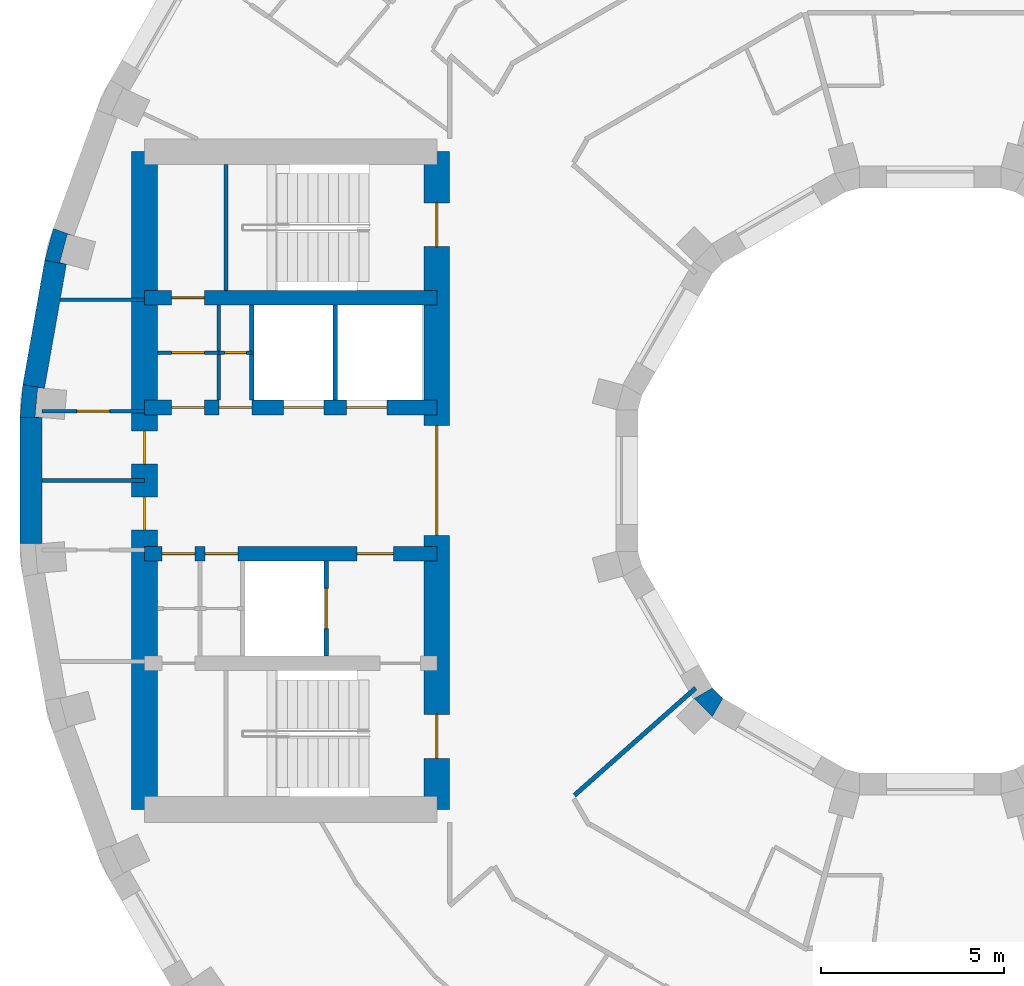
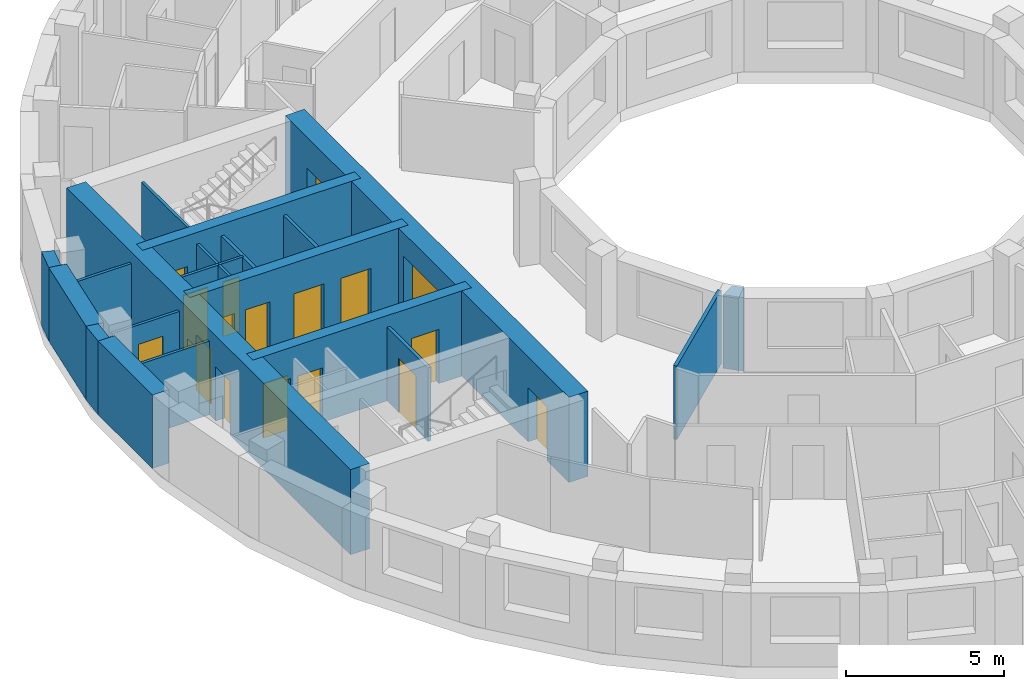
# One storey, part 6 of 15: 21 walls, 17 doors, 17 openings.
"""IFC4 building model written with IfcOpenShell, lengths in metres."""

from ifc_helpers import new_model, si_unit, direction, frame, frame_2d, origin, place, context, subcontext, project, spatial, polyline, rectangle, outline, extrude, material, layer, layer_set, type_object, element, fill, save


model = new_model("IFC4")

# Units and contexts
model_context = context("Model", 3, precision=1e-05, world=origin(), true_north=direction((0.0, 1.0)))
body_context = subcontext(model_context, "Body", "Model", "MODEL_VIEW")
ifc_project = project(units=[si_unit("LENGTHUNIT", "METRE"), si_unit("AREAUNIT", "SQUARE_METRE"), si_unit("VOLUMEUNIT", "CUBIC_METRE"), si_unit("PLANEANGLEUNIT", "RADIAN"), si_unit("MASSUNIT", "GRAM", prefix="KILO")], contexts=[model_context])

# Site, building, storey
site_placement = place(None, origin())
site = spatial("IfcSite", under=ifc_project, at=site_placement, CompositionType="ELEMENT")
building_placement = place(site_placement, origin())
building = spatial("IfcBuilding", under=site, at=building_placement, Name="Saqina Gate Tower", CompositionType="ELEMENT")
storey_placement = place(building_placement, frame((0.0, 0.0, 193.800048828125)))
storey = spatial("IfcBuildingStorey", under=building, at=storey_placement, Name="L55", CompositionType="ELEMENT", Elevation=193.800048828125)

# Walls
ifc_material_1 = material(Name="Brick masonry (buff)", Category="masonry")
wall_type_1 = type_object("IfcWallType", Name="BRICK PIER COPING BUFF", PredefinedType="SOLIDWALL", material=ifc_material_1)
wall_1_placement = place(storey_placement, origin())
element("IfcWall", 1, at=wall_1_placement, inside=storey, type_object=wall_type_1, Name="Pier cap L55 column 17", PredefinedType="SOLIDWALL", context=body_context, shape_type="SweptSolid", body=[
    extrude(outline(polyline([(-24.22705078125, 6.0234375), (-23.635986328125, 5.919189453125), (-23.81689453125, 5.967529296875), (-23.610107421875, 6.740478515625), (-23.428955078125, 6.69189453125), (-23.992919921875, 6.897216796875), (-24.22705078125, 6.0234375)])), origin(), (0.0, 0.0, 1.0), 2.849853515625),
])
wall_2_placement = place(storey_placement, origin())
element("IfcWall", 2, at=wall_2_placement, inside=storey, type_object=wall_type_1, Name="Pier cap L55 column 18", PredefinedType="SOLIDWALL", context=body_context, shape_type="SweptSolid", body=[
    extrude(outline(polyline([(-24.825927734375, 2.6259765625), (-24.90478515625, 1.724853515625), (-24.304931640625, 1.724853515625), (-24.491455078125, 1.7412109375), (-24.421630859375, 2.5380859375), (-24.235107421875, 2.521728515625), (-24.825927734375, 2.6259765625)])), origin(), (0.0, 0.0, 1.0), 2.849853515625),
])
ifc_material_2 = material(Name="Gypsum board on steel studs", Category="steel")
ifc_layer_1 = layer(ifc_material_2, 0.10009765625)
ifc_layer_set_1 = layer_set([ifc_layer_1], Name="CORE PARTITION")
wall_type_2 = type_object("IfcWallType", Name="CORE PARTITION", PredefinedType="PARTITIONING", material=ifc_layer_set_1)
wall_3_placement = place(storey_placement, frame((-21.5, 4.949951171875, 0.0), z_axis=(0.0, 0.0, 1.0), x_axis=(-1.0, 0.0, 0.0)))
element("IfcWall", 3, at=wall_3_placement, inside=storey, type_object=wall_type_2, Name="L55-CP-W01", PredefinedType="PARTITIONING", context=body_context, shape_type="SweptSolid", body=[
    extrude(rectangle(XDim=2.306884765625, YDim=0.10009765625, at=frame_2d((1.1533203125, 0.0))), origin(), (0.0, 0.0, 1.0), 2.849853515625),
])

# Wall, opening, door
wall_4_placement = place(storey_placement, frame((-21.5, 1.89990234375, 0.0), z_axis=(0.0, 0.0, 1.0), x_axis=(-1.0, 0.0, 0.0)))
wall_4 = element("IfcWall", 4, at=wall_4_placement, inside=storey, type_object=wall_type_2, Name="L55-CP-W02", PredefinedType="PARTITIONING", context=body_context, shape_type="SweptSolid", body=[
    extrude(rectangle(XDim=2.804931640625, YDim=0.10009765625, at=frame_2d((1.40234375, 0.0))), origin(), (0.0, 0.0, 1.0), 2.849853515625),
])
opening_1_placement = place(wall_4_placement, frame((0.952392578125, 0.0, 0.0)))
opening_1 = element("IfcOpeningElement", 5, at=opening_1_placement, cuts=wall_4, Name="Opening G16-D114", PredefinedType="OPENING", context=body_context, shape_type="SweptSolid", body=[
    extrude(rectangle(XDim=0.89990234375, YDim=2.10009765625, at=frame_2d((0.449951171875, 1.050048828125))), frame((0.0, 0.06201171875, 0.0), z_axis=(0.0, -1.0, 0.0), x_axis=(1.0, 0.0, 0.0)), (0.0, 0.0, 1.0), 0.1240234375),
])
ifc_material_3 = material(Name="Steel-framed fire door leaf, EI 60", Category="steel")
door_type_1 = type_object("IfcDoorType", Name="SERVICE ROOM DOOR 900", OperationType="SINGLE_SWING_LEFT", PredefinedType="DOOR", material=ifc_material_3)
door_1_placement = place(opening_1_placement, frame((0.89990234375, 0.0, 0.0), z_axis=(0.0, 0.0, 1.0), x_axis=(-1.0, 0.0, 0.0)))
door_1 = element("IfcDoor", 6, at=door_1_placement, inside=storey, type_object=door_type_1, Name="L55-CD-W25", OperationType="SINGLE_SWING_RIGHT", OverallHeight=2.10009765625, OverallWidth=0.89990234375, PredefinedType="DOOR", context=body_context, shape_type="SweptSolid", body=[
    extrude(rectangle(XDim=0.89990234375, YDim=2.10009765625, at=frame_2d((0.449951171875, 1.050048828125))), frame((0.0, 0.02490234375, 0.0), z_axis=(0.0, -1.0, 0.0), x_axis=(1.0, 0.0, 0.0)), (0.0, 0.0, 1.0), 0.050048828125),
])
fill(opening_1, door_1)

# Walls
wall_5_placement = place(storey_placement, frame((-21.5, 0.0, 0.0), z_axis=(0.0, 0.0, 1.0), x_axis=(-1.0, 0.0, 0.0)))
element("IfcWall", 7, at=wall_5_placement, inside=storey, type_object=wall_type_2, Name="L55-CP-W05", PredefinedType="PARTITIONING", context=body_context, shape_type="SweptSolid", body=[
    extrude(rectangle(XDim=2.804931640625, YDim=0.10009765625, at=frame_2d((1.40234375, 0.0))), origin(), (0.0, 0.0, 1.0), 2.849853515625),
])
wall_6_placement = place(storey_placement, frame((-19.466552734375, 2.199951171875, 0.0), z_axis=(0.0, 0.0, 1.0), x_axis=(0.0, 1.0, 0.0)))
element("IfcWall", 8, at=wall_6_placement, inside=storey, type_object=wall_type_2, Name="L55-CP-W08", PredefinedType="PARTITIONING", context=body_context, shape_type="SweptSolid", body=[
    extrude(rectangle(XDim=2.60009765625, YDim=0.10009765625, at=frame_2d((1.300048828125, 0.0))), origin(), (0.0, 0.0, 1.0), 2.849853515625),
])

# Wall, opening, door
wall_7_placement = place(storey_placement, frame((-18.56005859375, 3.5, 0.0), z_axis=(0.0, 0.0, 1.0), x_axis=(-1.0, 0.0, 0.0)))
wall_7 = element("IfcWall", 9, at=wall_7_placement, inside=storey, type_object=wall_type_2, Name="L55-CP-W12", PredefinedType="PARTITIONING", context=body_context, shape_type="SweptSolid", body=[
    extrude(rectangle(XDim=0.906494140625, YDim=0.10009765625, at=frame_2d((0.453125, 0.0))), origin(), (0.0, 0.0, 1.0), 2.849853515625),
])
opening_2_placement = place(wall_7_placement, frame((0.149658203125, 0.0, 0.0)))
opening_2 = element("IfcOpeningElement", 10, at=opening_2_placement, cuts=wall_7, Name="Opening G16-D118", PredefinedType="OPENING", context=body_context, shape_type="SweptSolid", body=[
    extrude(rectangle(XDim=0.60009765625, YDim=2.10009765625, at=frame_2d((0.300048828125, 1.050048828125))), frame((0.0, 0.06201171875, 0.0), z_axis=(0.0, -1.0, 0.0), x_axis=(1.0, 0.0, 0.0)), (0.0, 0.0, 1.0), 0.1240234375),
])
ifc_material_4 = material(Name="Steel-framed fire door leaf, EI 60", Category="steel")
door_type_2 = type_object("IfcDoorType", Name="SERVICE ROOM DOOR 600", OperationType="SINGLE_SWING_LEFT", PredefinedType="DOOR", material=ifc_material_4)
door_2_placement = place(opening_2_placement, origin())
door_2 = element("IfcDoor", 11, at=door_2_placement, inside=storey, type_object=door_type_2, Name="L55-CD-W29", OperationType="SINGLE_SWING_LEFT", OverallHeight=2.10009765625, OverallWidth=0.60009765625, PredefinedType="DOOR", context=body_context, shape_type="SweptSolid", body=[
    extrude(rectangle(XDim=0.60009765625, YDim=2.10009765625, at=frame_2d((0.300048828125, 1.050048828125))), frame((0.0, 0.02490234375, 0.0), z_axis=(0.0, -1.0, 0.0), x_axis=(1.0, 0.0, 0.0)), (0.0, 0.0, 1.0), 0.050048828125),
])
fill(opening_2, door_2)

wall_8_placement = place(storey_placement, frame((-19.466552734375, 3.5, 0.0), z_axis=(0.0, 0.0, 1.0), x_axis=(-1.0, 0.0, 0.0)))
wall_8 = element("IfcWall", 12, at=wall_8_placement, inside=storey, type_object=wall_type_2, Name="L55-CP-W13", PredefinedType="PARTITIONING", context=body_context, shape_type="SweptSolid", body=[
    extrude(rectangle(XDim=1.683349609375, YDim=0.10009765625, at=frame_2d((0.841796875, 0.0))), origin(), (0.0, 0.0, 1.0), 2.849853515625),
])
opening_3_placement = place(wall_8_placement, frame((0.391845703125, 0.0, 0.0)))
opening_3 = element("IfcOpeningElement", 13, at=opening_3_placement, cuts=wall_8, Name="Opening G16-D119", PredefinedType="OPENING", context=body_context, shape_type="SweptSolid", body=[
    extrude(rectangle(XDim=0.89990234375, YDim=2.10009765625, at=frame_2d((0.449951171875, 1.050048828125))), frame((0.0, 0.06201171875, 0.0), z_axis=(0.0, -1.0, 0.0), x_axis=(1.0, 0.0, 0.0)), (0.0, 0.0, 1.0), 0.1240234375),
])
door_3_placement = place(opening_3_placement, frame((0.89990234375, 0.0, 0.0), z_axis=(0.0, 0.0, 1.0), x_axis=(-1.0, 0.0, 0.0)))
door_3 = element("IfcDoor", 14, at=door_3_placement, inside=storey, type_object=door_type_1, Name="L55-CD-W30", OperationType="SINGLE_SWING_LEFT", OverallHeight=2.10009765625, OverallWidth=0.89990234375, PredefinedType="DOOR", context=body_context, shape_type="SweptSolid", body=[
    extrude(rectangle(XDim=0.89990234375, YDim=2.10009765625, at=frame_2d((0.449951171875, 1.050048828125))), frame((0.0, 0.02490234375, 0.0), z_axis=(0.0, -1.0, 0.0), x_axis=(1.0, 0.0, 0.0)), (0.0, 0.0, 1.0), 0.050048828125),
])
fill(opening_3, door_3)

# Walls
ifc_material_5 = material(Name="Glazed ceramic tile", Category="ceramic")
ifc_layer_2 = layer(ifc_material_5, 0.60009765625)
ifc_layer_set_2 = layer_set([ifc_layer_2], Name="FW-TILE")
wall_type_3 = type_object("IfcWallType", Name="FW-TILE", PredefinedType="SOLIDWALL", material=ifc_layer_set_2)
wall_9_placement = place(storey_placement, frame((-24.60498046875, 1.724853515625, 0.0), z_axis=(0.0, 0.0, 1.0), x_axis=(0.0, -1.0, 0.0)))
element("IfcWall", 15, at=wall_9_placement, inside=storey, type_object=wall_type_3, Name="Facade wall L55 facet 18", PredefinedType="SOLIDWALL", context=body_context, shape_type="SweptSolid", body=[
    extrude(rectangle(XDim=3.44970703125, YDim=0.60009765625, at=frame_2d((1.724853515625, 0.0))), origin(), (0.0, 0.0, 1.0), 2.849853515625),
])
ifc_material_6 = material(Name="Glazed ceramic tile (white)", Category="ceramic")
ifc_layer_3 = layer(ifc_material_6, 0.60009765625)
ifc_layer_set_3 = layer_set([ifc_layer_3], Name="FW-TILE-WH")
wall_type_4 = type_object("IfcWallType", Name="FW-TILE-WH", PredefinedType="SOLIDWALL", material=ifc_layer_set_3)
wall_10_placement = place(storey_placement, frame((-23.931640625, 5.97119140625, 0.0), z_axis=(0.0, 0.0, 1.0), x_axis=(-0.173607684551, -0.984814892183, 0.0)))
element("IfcWall", 16, at=wall_10_placement, inside=storey, type_object=wall_type_4, Name="Facade wall L55 facet 17", PredefinedType="SOLIDWALL", context=body_context, shape_type="SweptSolid", body=[
    extrude(rectangle(XDim=3.44970703125, YDim=0.60009765625, at=frame_2d((1.724853515625, 0.0))), origin(), (0.0, 0.0, 1.0), 2.849853515625),
])
ifc_material_7 = material(Name="Gypsum board on steel studs, 125 mm, fire rated", Category="steel")
ifc_layer_4 = layer(ifc_material_7, 0.125)
ifc_layer_set_4 = layer_set([ifc_layer_4], Name="PARTITION EI 30 125")
wall_type_5 = type_object("IfcWallType", Name="PARTITION EI 30 125", PredefinedType="PARTITIONING", material=ifc_layer_set_4)
wall_11_placement = place(storey_placement, frame((-9.7373046875, -8.612548828125, 0.0), z_axis=(0.0, 0.0, 1.0), x_axis=(0.748961830347, 0.662613142552, 0.0)))
element("IfcWall", 17, at=wall_11_placement, inside=storey, type_object=wall_type_5, Name="PARTITION PW1-40", PredefinedType="PARTITIONING", context=body_context, shape_type="SweptSolid", body=[
    extrude(rectangle(XDim=4.427734375, YDim=0.125, at=frame_2d((2.2138671875, 0.0))), origin(), (0.0, 0.0, 1.0), 2.849853515625),
])
ifc_material_8 = material(Name="Autoclaved aerated concrete block", Category="concrete")
ifc_layer_5 = layer(ifc_material_8, 0.1201171875)
ifc_layer_set_5 = layer_set([ifc_layer_5], Name="SHAFT PARTITION")
wall_type_6 = type_object("IfcWallType", Name="SHAFT PARTITION", PredefinedType="PARTITIONING", material=ifc_layer_set_5)
for number, where, z_axis, x_axis, name in (
    (18, (-16.280029296875, 2.199951171875, 0.0), (0.0, 0.0, 1.0), (0.0, 1.0, 0.0), "L55-CP-W06"),
    (19, (-18.56005859375, 2.199951171875, 0.0), (0.0, 0.0, 1.0), (0.0, 1.0, 0.0), "L55-CP-W07"),
):
    element("IfcWall", number, at=place(storey_placement, frame(where, z_axis=z_axis, x_axis=x_axis)), inside=storey, type_object=wall_type_6, Name=name, PredefinedType="PARTITIONING", context=body_context, shape_type="SweptSolid", body=[
        extrude(rectangle(XDim=2.60009765625, YDim=0.1201171875, at=frame_2d((1.300048828125, 0.0))), origin(), (0.0, 0.0, 1.0), 2.849853515625),
    ])

# Wall, opening, door
wall_12_placement = place(storey_placement, frame((-16.530029296875, -4.800048828125, 0.0), z_axis=(0.0, 0.0, 1.0), x_axis=(0.0, 1.0, 0.0)))
wall_12 = element("IfcWall", 20, at=wall_12_placement, inside=storey, type_object=wall_type_6, Name="L55-CP-W09", PredefinedType="PARTITIONING", context=body_context, shape_type="SweptSolid", body=[
    extrude(rectangle(XDim=2.60009765625, YDim=0.1201171875, at=frame_2d((1.300048828125, 0.0))), origin(), (0.0, 0.0, 1.0), 2.849853515625),
])
opening_4_placement = place(wall_12_placement, frame((0.75, 0.0, 0.0)))
opening_4 = element("IfcOpeningElement", 21, at=opening_4_placement, cuts=wall_12, Name="Opening G16-LD6", PredefinedType="OPENING", context=body_context, shape_type="SweptSolid", body=[
    extrude(rectangle(XDim=1.10009765625, YDim=2.10009765625, at=frame_2d((0.550048828125, 1.050048828125))), frame((0.0, 0.072021484375, 0.0), z_axis=(0.0, -1.0, 0.0), x_axis=(1.0, 0.0, 0.0)), (0.0, 0.0, 1.0), 0.14404296875),
])
ifc_material_9 = material(Name="Stainless steel", Category="steel")
door_type_3 = type_object("IfcDoorType", Name="LANDING DOOR", OperationType="DOUBLE_DOOR_SLIDING", PredefinedType="DOOR", material=ifc_material_9)
door_4_placement = place(opening_4_placement, origin())
door_4 = element("IfcDoor", 22, at=door_4_placement, inside=storey, type_object=door_type_3, Name="LANDING DOOR FF2", OperationType="DOUBLE_DOOR_SLIDING", OverallHeight=2.10009765625, OverallWidth=1.10009765625, PredefinedType="DOOR", context=body_context, shape_type="SweptSolid", body=[
    extrude(rectangle(XDim=1.10009765625, YDim=2.10009765625, at=frame_2d((0.550048828125, 1.050048828125))), frame((0.0, 0.02490234375, 0.0), z_axis=(0.0, -1.0, 0.0), x_axis=(1.0, 0.0, 0.0)), (0.0, 0.0, 1.0), 0.050048828125),
])
fill(opening_4, door_4)

# Wall
ifc_material_10 = material(Name="Autoclaved aerated concrete block", Category="concrete")
ifc_layer_6 = layer(ifc_material_10, 0.10009765625)
ifc_layer_set_6 = layer_set([ifc_layer_6], Name="STAIR ENCLOSURE WALL")
wall_type_7 = type_object("IfcWallType", Name="STAIR ENCLOSURE WALL", PredefinedType="PARTITIONING", material=ifc_layer_set_6)
wall_13_placement = place(storey_placement, frame((-19.27001953125, 5.199951171875, 0.0), z_axis=(0.0, 0.0, 1.0), x_axis=(0.0, 1.0, 0.0)))
element("IfcWall", 23, at=wall_13_placement, inside=storey, type_object=wall_type_7, Name="L55-CP-W16", PredefinedType="PARTITIONING", context=body_context, shape_type="SweptSolid", body=[
    extrude(rectangle(XDim=3.449951171875, YDim=0.10009765625, at=frame_2d((1.72509765625, 0.0))), origin(), (0.0, 0.0, 1.0), 2.849853515625),
])

# Wall, opening, door
ifc_material_11 = material(Name="Concrete C60/75", Category="concrete")
ifc_layer_7 = layer(ifc_material_11, 0.39990234375)
ifc_layer_set_7 = layer_set([ifc_layer_7], Name="Concrete C60/75")
wall_type_8 = type_object("IfcWallType", Name="STR-CORE WALL-C-I", PredefinedType="SHEAR", material=ifc_layer_set_7)
wall_14_placement = place(storey_placement, frame((-13.5, 5.0, 0.0), z_axis=(0.0, 0.0, 1.0), x_axis=(-1.0, 0.0, 0.0)))
wall_14 = element("IfcWall", 24, at=wall_14_placement, inside=storey, type_object=wall_type_8, Name="CORE WALL L55 W-X1", PredefinedType="SHEAR", context=body_context, shape_type="SweptSolid", body=[
    extrude(rectangle(XDim=8.0, YDim=0.39990234375, at=frame_2d((4.0, 0.0))), origin(), (0.0, 0.0, 1.0), 3.300048828125),
])
opening_5_placement = place(wall_14_placement, frame((6.358154296875, 0.0, 0.0)))
opening_5 = element("IfcOpeningElement", 25, at=opening_5_placement, cuts=wall_14, Name="Opening G16-D120", PredefinedType="OPENING", context=body_context, shape_type="SweptSolid", body=[
    extrude(rectangle(XDim=0.89990234375, YDim=2.10009765625, at=frame_2d((0.449951171875, 1.050048828125))), frame((0.0, 0.2119140625, 0.0), z_axis=(0.0, -1.0, 0.0), x_axis=(1.0, 0.0, 0.0)), (0.0, 0.0, 1.0), 0.423828125),
])
door_5_placement = place(opening_5_placement, frame((0.89990234375, 0.0, 0.0), z_axis=(0.0, 0.0, 1.0), x_axis=(-1.0, 0.0, 0.0)))
door_5 = element("IfcDoor", 26, at=door_5_placement, inside=storey, type_object=door_type_1, Name="L55-CD-W31", OperationType="SINGLE_SWING_LEFT", OverallHeight=2.10009765625, OverallWidth=0.89990234375, PredefinedType="DOOR", context=body_context, shape_type="SweptSolid", body=[
    extrude(rectangle(XDim=0.89990234375, YDim=2.10009765625, at=frame_2d((0.449951171875, 1.050048828125))), frame((0.0, 0.02490234375, 0.0), z_axis=(0.0, -1.0, 0.0), x_axis=(1.0, 0.0, 0.0)), (0.0, 0.0, 1.0), 0.050048828125),
])
fill(opening_5, door_5)

# Wall, openings, doors
wall_15_placement = place(storey_placement, frame((-13.5, 2.0, 0.0), z_axis=(0.0, 0.0, 1.0), x_axis=(-1.0, 0.0, 0.0)))
wall_15 = element("IfcWall", 27, at=wall_15_placement, inside=storey, type_object=wall_type_8, Name="CORE WALL L55 W-L1", PredefinedType="SHEAR", context=body_context, shape_type="SweptSolid", body=[
    extrude(rectangle(XDim=8.0, YDim=0.39990234375, at=frame_2d((4.0, 0.0))), origin(), (0.0, 0.0, 1.0), 3.300048828125),
])
opening_6_placement = place(wall_15_placement, frame((1.3701171875, 0.0, 0.0)))
opening_6 = element("IfcOpeningElement", 28, at=opening_6_placement, cuts=wall_15, Name="Opening G16-LD4", PredefinedType="OPENING", context=body_context, shape_type="SweptSolid", body=[
    extrude(rectangle(XDim=1.10009765625, YDim=2.10009765625, at=frame_2d((0.550048828125, 1.050048828125))), frame((0.0, 0.2119140625, 0.0), z_axis=(0.0, -1.0, 0.0), x_axis=(1.0, 0.0, 0.0)), (0.0, 0.0, 1.0), 0.423828125),
])
opening_7_placement = place(wall_15_placement, frame((3.090087890625, 0.0, 0.0)))
opening_7 = element("IfcOpeningElement", 29, at=opening_7_placement, cuts=wall_15, Name="Opening G16-LD5", PredefinedType="OPENING", context=body_context, shape_type="SweptSolid", body=[
    extrude(rectangle(XDim=1.10009765625, YDim=2.10009765625, at=frame_2d((0.550048828125, 1.050048828125))), frame((0.0, 0.2119140625, 0.0), z_axis=(0.0, -1.0, 0.0), x_axis=(1.0, 0.0, 0.0)), (0.0, 0.0, 1.0), 0.423828125),
])
opening_8_placement = place(wall_15_placement, frame((5.063232421875, 0.0, 0.0)))
opening_8 = element("IfcOpeningElement", 30, at=opening_8_placement, cuts=wall_15, Name="Opening G16-D109", PredefinedType="OPENING", context=body_context, shape_type="SweptSolid", body=[
    extrude(rectangle(XDim=0.89990234375, YDim=2.10009765625, at=frame_2d((0.449951171875, 1.050048828125))), frame((0.0, 0.2119140625, 0.0), z_axis=(0.0, -1.0, 0.0), x_axis=(1.0, 0.0, 0.0)), (0.0, 0.0, 1.0), 0.423828125),
])
opening_9_placement = place(wall_15_placement, frame((6.358154296875, 0.0, 0.0)))
opening_9 = element("IfcOpeningElement", 31, at=opening_9_placement, cuts=wall_15, Name="Opening G16-D110", PredefinedType="OPENING", context=body_context, shape_type="SweptSolid", body=[
    extrude(rectangle(XDim=0.89990234375, YDim=2.10009765625, at=frame_2d((0.449951171875, 1.050048828125))), frame((0.0, 0.2119140625, 0.0), z_axis=(0.0, -1.0, 0.0), x_axis=(1.0, 0.0, 0.0)), (0.0, 0.0, 1.0), 0.423828125),
])
door_6_placement = place(opening_6_placement, origin())
door_6 = element("IfcDoor", 32, at=door_6_placement, inside=storey, type_object=door_type_3, Name="LANDING DOOR HR3", OperationType="DOUBLE_DOOR_SLIDING", OverallHeight=2.10009765625, OverallWidth=1.10009765625, PredefinedType="DOOR", context=body_context, shape_type="SweptSolid", body=[
    extrude(rectangle(XDim=1.10009765625, YDim=2.10009765625, at=frame_2d((0.550048828125, 1.050048828125))), frame((0.0, 0.02490234375, 0.0), z_axis=(0.0, -1.0, 0.0), x_axis=(1.0, 0.0, 0.0)), (0.0, 0.0, 1.0), 0.050048828125),
])
fill(opening_6, door_6)
door_7_placement = place(opening_7_placement, origin())
door_7 = element("IfcDoor", 33, at=door_7_placement, inside=storey, type_object=door_type_3, Name="LANDING DOOR HR4", OperationType="DOUBLE_DOOR_SLIDING", OverallHeight=2.10009765625, OverallWidth=1.10009765625, PredefinedType="DOOR", context=body_context, shape_type="SweptSolid", body=[
    extrude(rectangle(XDim=1.10009765625, YDim=2.10009765625, at=frame_2d((0.550048828125, 1.050048828125))), frame((0.0, 0.02490234375, 0.0), z_axis=(0.0, -1.0, 0.0), x_axis=(1.0, 0.0, 0.0)), (0.0, 0.0, 1.0), 0.050048828125),
])
fill(opening_7, door_7)
door_8_placement = place(opening_8_placement, frame((0.89990234375, 0.0, 0.0), z_axis=(0.0, 0.0, 1.0), x_axis=(-1.0, 0.0, 0.0)))
door_8 = element("IfcDoor", 34, at=door_8_placement, inside=storey, type_object=door_type_1, Name="L55-CD-W20", OperationType="SINGLE_SWING_RIGHT", OverallHeight=2.10009765625, OverallWidth=0.89990234375, PredefinedType="DOOR", context=body_context, shape_type="SweptSolid", body=[
    extrude(rectangle(XDim=0.89990234375, YDim=2.10009765625, at=frame_2d((0.449951171875, 1.050048828125))), frame((0.0, 0.02490234375, 0.0), z_axis=(0.0, -1.0, 0.0), x_axis=(1.0, 0.0, 0.0)), (0.0, 0.0, 1.0), 0.050048828125),
])
fill(opening_8, door_8)
door_9_placement = place(opening_9_placement, frame((0.89990234375, 0.0, 0.0), z_axis=(0.0, 0.0, 1.0), x_axis=(-1.0, 0.0, 0.0)))
door_9 = element("IfcDoor", 35, at=door_9_placement, inside=storey, type_object=door_type_1, Name="L55-CD-W21", OperationType="SINGLE_SWING_LEFT", OverallHeight=2.10009765625, OverallWidth=0.89990234375, PredefinedType="DOOR", context=body_context, shape_type="SweptSolid", body=[
    extrude(rectangle(XDim=0.89990234375, YDim=2.10009765625, at=frame_2d((0.449951171875, 1.050048828125))), frame((0.0, 0.02490234375, 0.0), z_axis=(0.0, -1.0, 0.0), x_axis=(1.0, 0.0, 0.0)), (0.0, 0.0, 1.0), 0.050048828125),
])
fill(opening_9, door_9)

wall_16_placement = place(storey_placement, frame((-13.5, -2.0, 0.0), z_axis=(0.0, 0.0, 1.0), x_axis=(-1.0, 0.0, 0.0)))
wall_16 = element("IfcWall", 36, at=wall_16_placement, inside=storey, type_object=wall_type_8, Name="CORE WALL L55 W-L2", PredefinedType="SHEAR", context=body_context, shape_type="SweptSolid", body=[
    extrude(rectangle(XDim=8.0, YDim=0.39990234375, at=frame_2d((4.0, 0.0))), origin(), (0.0, 0.0, 1.0), 3.300048828125),
])
opening_10_placement = place(wall_16_placement, frame((1.18994140625, 0.0, 0.0)))
opening_10 = element("IfcOpeningElement", 37, at=opening_10_placement, cuts=wall_16, Name="Opening G16-D111", PredefinedType="OPENING", context=body_context, shape_type="SweptSolid", body=[
    extrude(rectangle(XDim=1.0, YDim=2.10009765625, at=frame_2d((0.5, 1.050048828125))), frame((0.0, 0.2119140625, 0.0), z_axis=(0.0, -1.0, 0.0), x_axis=(1.0, 0.0, 0.0)), (0.0, 0.0, 1.0), 0.423828125),
])
opening_11_placement = place(wall_16_placement, frame((5.445068359375, 0.0, 0.0)))
opening_11 = element("IfcOpeningElement", 38, at=opening_11_placement, cuts=wall_16, Name="Opening G16-D112", PredefinedType="OPENING", context=body_context, shape_type="SweptSolid", body=[
    extrude(rectangle(XDim=0.89990234375, YDim=2.10009765625, at=frame_2d((0.449951171875, 1.050048828125))), frame((0.0, 0.2119140625, 0.0), z_axis=(0.0, -1.0, 0.0), x_axis=(1.0, 0.0, 0.0)), (0.0, 0.0, 1.0), 0.423828125),
])
opening_12_placement = place(wall_16_placement, frame((6.614990234375, 0.0, 0.0)))
opening_12 = element("IfcOpeningElement", 39, at=opening_12_placement, cuts=wall_16, Name="Opening G16-D113", PredefinedType="OPENING", context=body_context, shape_type="SweptSolid", body=[
    extrude(rectangle(XDim=0.89990234375, YDim=2.10009765625, at=frame_2d((0.449951171875, 1.050048828125))), frame((0.0, 0.2119140625, 0.0), z_axis=(0.0, -1.0, 0.0), x_axis=(1.0, 0.0, 0.0)), (0.0, 0.0, 1.0), 0.423828125),
])
ifc_material_12 = material(Name="Steel", Category="steel")
door_type_4 = type_object("IfcDoorType", Name="FIRE LOBBY DOOR EI 60", OperationType="SINGLE_SWING_LEFT", PredefinedType="DOOR", material=ifc_material_12)
door_10_placement = place(opening_10_placement, frame((1.0, 0.0, 0.0), z_axis=(0.0, 0.0, 1.0), x_axis=(-1.0, 0.0, 0.0)))
door_10 = element("IfcDoor", 40, at=door_10_placement, inside=storey, type_object=door_type_4, Name="L55-CD-W22", OperationType="SINGLE_SWING_RIGHT", OverallHeight=2.10009765625, OverallWidth=1.0, PredefinedType="DOOR", context=body_context, shape_type="SweptSolid", body=[
    extrude(rectangle(XDim=1.0, YDim=2.10009765625, at=frame_2d((0.5, 1.050048828125))), frame((0.0, 0.02490234375, 0.0), z_axis=(0.0, -1.0, 0.0), x_axis=(1.0, 0.0, 0.0)), (0.0, 0.0, 1.0), 0.050048828125),
])
fill(opening_10, door_10)
door_11_placement = place(opening_11_placement, origin())
door_11 = element("IfcDoor", 41, at=door_11_placement, inside=storey, type_object=door_type_1, Name="L55-CD-W23", OperationType="SINGLE_SWING_LEFT", OverallHeight=2.10009765625, OverallWidth=0.89990234375, PredefinedType="DOOR", context=body_context, shape_type="SweptSolid", body=[
    extrude(rectangle(XDim=0.89990234375, YDim=2.10009765625, at=frame_2d((0.449951171875, 1.050048828125))), frame((0.0, 0.02490234375, 0.0), z_axis=(0.0, -1.0, 0.0), x_axis=(1.0, 0.0, 0.0)), (0.0, 0.0, 1.0), 0.050048828125),
])
fill(opening_11, door_11)
door_12_placement = place(opening_12_placement, origin())
door_12 = element("IfcDoor", 42, at=door_12_placement, inside=storey, type_object=door_type_1, Name="L55-CD-W24", OperationType="SINGLE_SWING_RIGHT", OverallHeight=2.10009765625, OverallWidth=0.89990234375, PredefinedType="DOOR", context=body_context, shape_type="SweptSolid", body=[
    extrude(rectangle(XDim=0.89990234375, YDim=2.10009765625, at=frame_2d((0.449951171875, 1.050048828125))), frame((0.0, 0.02490234375, 0.0), z_axis=(0.0, -1.0, 0.0), x_axis=(1.0, 0.0, 0.0)), (0.0, 0.0, 1.0), 0.050048828125),
])
fill(opening_12, door_12)

ifc_material_13 = material(Name="Concrete C60/75", Category="concrete")
ifc_layer_8 = layer(ifc_material_13, 0.699951171875)
ifc_layer_set_8 = layer_set([ifc_layer_8], Name="Concrete C60/75")
wall_type_9 = type_object("IfcWallType", Name="STR-CORE WALL-C-O", PredefinedType="SHEAR", material=ifc_layer_set_8)
wall_17_placement = place(storey_placement, frame((-13.5, -9.0, 0.0), z_axis=(0.0, 0.0, 1.0), x_axis=(0.0, 1.0, 0.0)))
wall_17 = element("IfcWall", 43, at=wall_17_placement, inside=storey, type_object=wall_type_9, Name="CORE WALL L55 W-W1", PredefinedType="SHEAR", context=body_context, shape_type="SweptSolid", body=[
    extrude(rectangle(XDim=18.0, YDim=0.699951171875, at=frame_2d((9.0, 0.0))), origin(), (0.0, 0.0, 1.0), 3.300048828125),
])
opening_13_placement = place(wall_17_placement, frame((15.39990234375, 0.0, 0.0)))
opening_13 = element("IfcOpeningElement", 44, at=opening_13_placement, cuts=wall_17, Name="Opening G16-D125", PredefinedType="OPENING", context=body_context, shape_type="SweptSolid", body=[
    extrude(rectangle(XDim=1.199951171875, YDim=2.10009765625, at=frame_2d((0.60009765625, 1.050048828125))), frame((0.0, 0.362060546875, 0.0), z_axis=(0.0, -1.0, 0.0), x_axis=(1.0, 0.0, 0.0)), (0.0, 0.0, 1.0), 0.723876953125),
])
opening_14_placement = place(wall_17_placement, frame((1.39990234375, 0.0, 0.0)))
opening_14 = element("IfcOpeningElement", 45, at=opening_14_placement, cuts=wall_17, Name="Opening G16-D126", PredefinedType="OPENING", context=body_context, shape_type="SweptSolid", body=[
    extrude(rectangle(XDim=1.199951171875, YDim=2.10009765625, at=frame_2d((0.60009765625, 1.050048828125))), frame((0.0, 0.362060546875, 0.0), z_axis=(0.0, -1.0, 0.0), x_axis=(1.0, 0.0, 0.0)), (0.0, 0.0, 1.0), 0.723876953125),
])
opening_15_placement = place(wall_17_placement, frame((7.5, 0.0, 0.0)))
opening_15 = element("IfcOpeningElement", 46, at=opening_15_placement, cuts=wall_17, Name="Opening G16-D127", PredefinedType="OPENING", context=body_context, shape_type="SweptSolid", body=[
    extrude(rectangle(XDim=3.0, YDim=2.39990234375, at=frame_2d((1.5, 1.199951171875))), frame((0.0, 0.362060546875, 0.0), z_axis=(0.0, -1.0, 0.0), x_axis=(1.0, 0.0, 0.0)), (0.0, 0.0, 1.0), 0.723876953125),
])
ifc_material_14 = material(Name="Steel", Category="steel")
door_type_5 = type_object("IfcDoorType", Name="FIRE DOOR EI 60", OperationType="SINGLE_SWING_LEFT", PredefinedType="DOOR", material=ifc_material_14)
door_13_placement = place(opening_13_placement, origin())
door_13 = element("IfcDoor", 47, at=door_13_placement, inside=storey, type_object=door_type_5, Name="L55-CD-W36", OperationType="SINGLE_SWING_RIGHT", OverallHeight=2.10009765625, OverallWidth=1.199951171875, PredefinedType="DOOR", context=body_context, shape_type="SweptSolid", body=[
    extrude(rectangle(XDim=1.199951171875, YDim=2.10009765625, at=frame_2d((0.60009765625, 1.050048828125))), frame((0.0, 0.02490234375, 0.0), z_axis=(0.0, -1.0, 0.0), x_axis=(1.0, 0.0, 0.0)), (0.0, 0.0, 1.0), 0.050048828125),
])
fill(opening_13, door_13)
door_14_placement = place(opening_14_placement, origin())
door_14 = element("IfcDoor", 48, at=door_14_placement, inside=storey, type_object=door_type_5, Name="L55-CD-W37", OperationType="SINGLE_SWING_LEFT", OverallHeight=2.10009765625, OverallWidth=1.199951171875, PredefinedType="DOOR", context=body_context, shape_type="SweptSolid", body=[
    extrude(rectangle(XDim=1.199951171875, YDim=2.10009765625, at=frame_2d((0.60009765625, 1.050048828125))), frame((0.0, 0.02490234375, 0.0), z_axis=(0.0, -1.0, 0.0), x_axis=(1.0, 0.0, 0.0)), (0.0, 0.0, 1.0), 0.050048828125),
])
fill(opening_14, door_14)
ifc_material_15 = material(Name="Steel and fire-resisting glass", Category="steel")
door_type_6 = type_object("IfcDoorType", Name="LOBBY SCREEN DOOR", OperationType="DOUBLE_DOOR_SLIDING", PredefinedType="DOOR", material=ifc_material_15)
door_15_placement = place(opening_15_placement, origin())
door_15 = element("IfcDoor", 49, at=door_15_placement, inside=storey, type_object=door_type_6, Name="L55-CD-W38", OperationType="DOUBLE_DOOR_SLIDING", OverallHeight=2.39990234375, OverallWidth=3.0, PredefinedType="DOOR", context=body_context, shape_type="SweptSolid", body=[
    extrude(rectangle(XDim=3.0, YDim=2.39990234375, at=frame_2d((1.5, 1.199951171875))), frame((0.0, 0.02490234375, 0.0), z_axis=(0.0, -1.0, 0.0), x_axis=(1.0, 0.0, 0.0)), (0.0, 0.0, 1.0), 0.050048828125),
])
fill(opening_15, door_15)

wall_18_placement = place(storey_placement, frame((-21.5, -9.0, 0.0), z_axis=(0.0, 0.0, 1.0), x_axis=(0.0, 1.0, 0.0)))
wall_18 = element("IfcWall", 50, at=wall_18_placement, inside=storey, type_object=wall_type_9, Name="CORE WALL L55 W-W2", PredefinedType="SHEAR", context=body_context, shape_type="SweptSolid", body=[
    extrude(rectangle(XDim=18.0, YDim=0.699951171875, at=frame_2d((9.0, 0.0))), origin(), (0.0, 0.0, 1.0), 3.300048828125),
])
opening_16_placement = place(wall_18_placement, frame((9.449951171875, 0.0, 0.0)))
opening_16 = element("IfcOpeningElement", 51, at=opening_16_placement, cuts=wall_18, Name="Opening G16-D115", PredefinedType="OPENING", context=body_context, shape_type="SweptSolid", body=[
    extrude(rectangle(XDim=0.89990234375, YDim=2.10009765625, at=frame_2d((0.449951171875, 1.050048828125))), frame((0.0, 0.362060546875, 0.0), z_axis=(0.0, -1.0, 0.0), x_axis=(1.0, 0.0, 0.0)), (0.0, 0.0, 1.0), 0.723876953125),
])
opening_17_placement = place(wall_18_placement, frame((7.64990234375, 0.0, 0.0)))
opening_17 = element("IfcOpeningElement", 52, at=opening_17_placement, cuts=wall_18, Name="Opening G16-D117", PredefinedType="OPENING", context=body_context, shape_type="SweptSolid", body=[
    extrude(rectangle(XDim=0.89990234375, YDim=2.10009765625, at=frame_2d((0.449951171875, 1.050048828125))), frame((0.0, 0.362060546875, 0.0), z_axis=(0.0, -1.0, 0.0), x_axis=(1.0, 0.0, 0.0)), (0.0, 0.0, 1.0), 0.723876953125),
])
door_16_placement = place(opening_16_placement, origin())
door_16 = element("IfcDoor", 53, at=door_16_placement, inside=storey, type_object=door_type_1, Name="L55-CD-W26", OperationType="SINGLE_SWING_RIGHT", OverallHeight=2.10009765625, OverallWidth=0.89990234375, PredefinedType="DOOR", context=body_context, shape_type="SweptSolid", body=[
    extrude(rectangle(XDim=0.89990234375, YDim=2.10009765625, at=frame_2d((0.449951171875, 1.050048828125))), frame((0.0, 0.02490234375, 0.0), z_axis=(0.0, -1.0, 0.0), x_axis=(1.0, 0.0, 0.0)), (0.0, 0.0, 1.0), 0.050048828125),
])
fill(opening_16, door_16)
door_17_placement = place(opening_17_placement, origin())
door_17 = element("IfcDoor", 54, at=door_17_placement, inside=storey, type_object=door_type_1, Name="L55-CD-W28", OperationType="SINGLE_SWING_LEFT", OverallHeight=2.10009765625, OverallWidth=0.89990234375, PredefinedType="DOOR", context=body_context, shape_type="SweptSolid", body=[
    extrude(rectangle(XDim=0.89990234375, YDim=2.10009765625, at=frame_2d((0.449951171875, 1.050048828125))), frame((0.0, 0.02490234375, 0.0), z_axis=(0.0, -1.0, 0.0), x_axis=(1.0, 0.0, 0.0)), (0.0, 0.0, 1.0), 0.050048828125),
])
fill(opening_17, door_17)

# Wall
ifc_material_16 = material(Name="Glazed ceramic tile", Category="ceramic")
wall_type_10 = type_object("IfcWallType", Name="TILE PIER COPING", PredefinedType="SOLIDWALL", material=ifc_material_16)
wall_19_placement = place(storey_placement, origin())
element("IfcWall", 55, at=wall_19_placement, inside=storey, type_object=wall_type_10, Name="Well pier cap L55 column 8", PredefinedType="SOLIDWALL", context=body_context, shape_type="SweptSolid", body=[
    extrude(outline(polyline([(-6.45751953125, -5.96240234375), (-5.96240234375, -6.45751953125), (-5.67578125, -5.960693359375), (-5.960693359375, -5.67578125), (-6.45751953125, -5.96240234375)])), origin(), (0.0, 0.0, 1.0), 2.849853515625),
])

save(model, "model.ifc")
